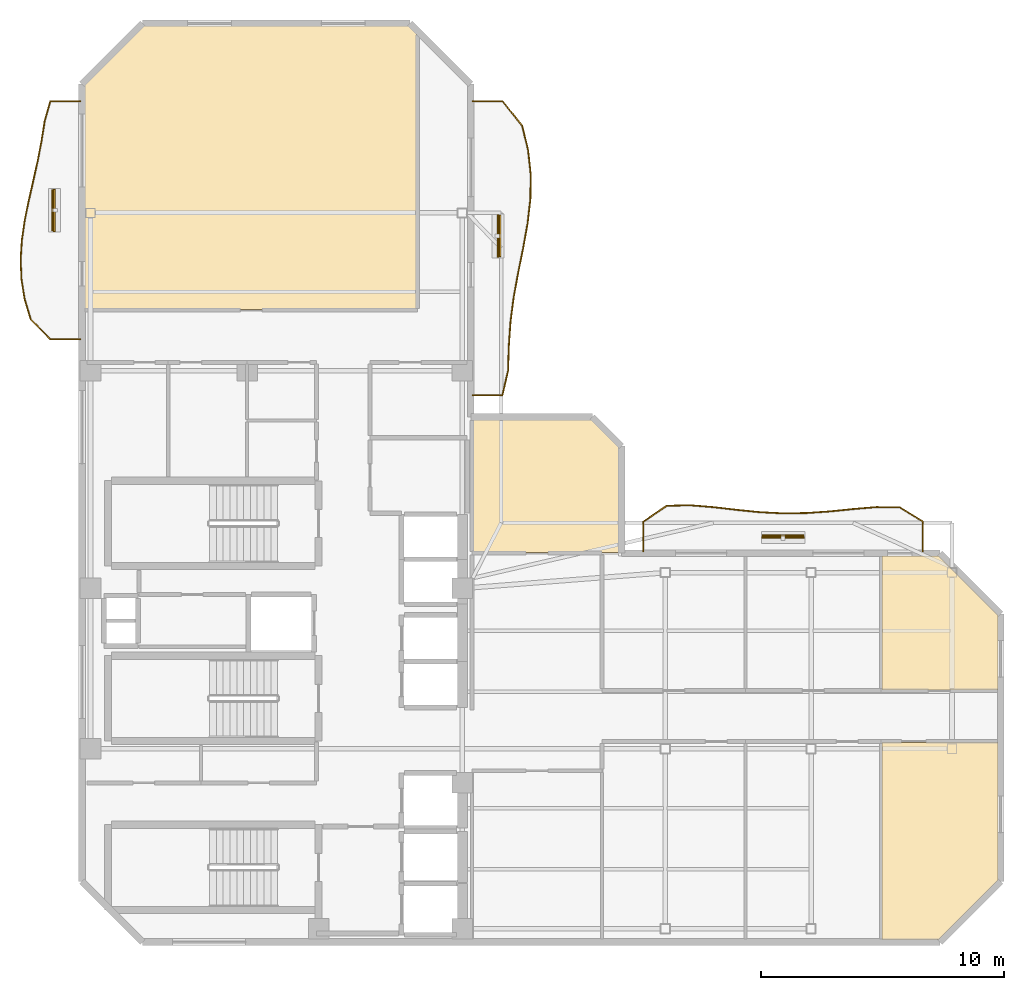
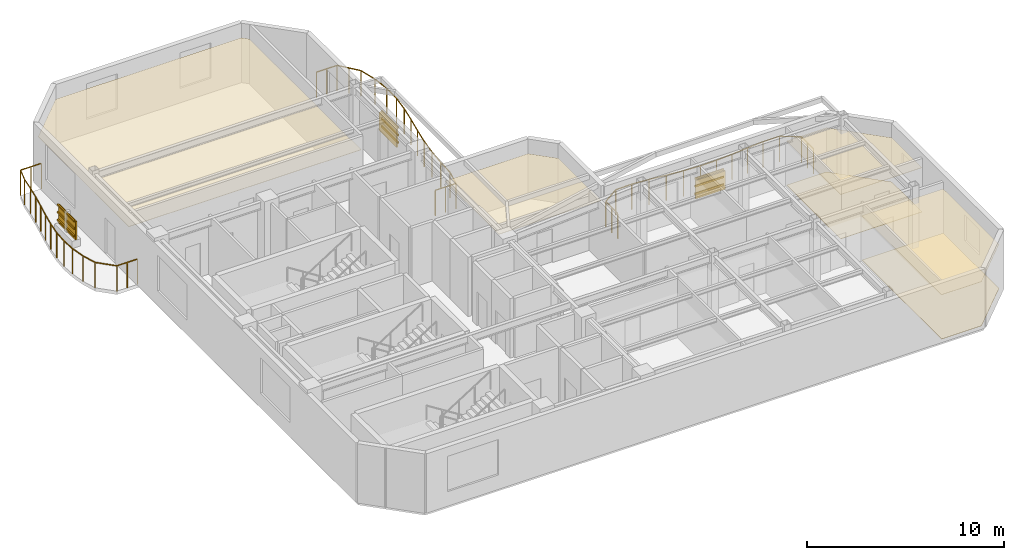
# One storey, part 7 of 7: 12 shading devices, 6 coverings, 3 railings.
"""IFC4 building model written with IfcOpenShell, lengths in metres."""

import ifcopenshell
import ifcopenshell.guid

model = None  # the IFC model being written
_history = None  # IfcOwnerHistory: only IFC2X3 demands one
_inside = {}  # id of a spatial element -> (the spatial element, [elements in it])
_under = {}  # id of a project, library or spatial element -> (it, [spatial elements below it])
_declared = {}  # id of a project -> (the project, [libraries it declares])
_typed = {}  # id of a type object -> (the type object, [elements of that type])
_made_of = {}  # id of a material, layer set ... -> (it, [elements and type objects made of it])


def new_model(schema):
    """Start an empty IFC model of exactly this schema.

    Asked for "IFC4X3", IfcOpenShell would pick the latest addendum, in which some entities
    have other attributes; the version numbers below select the first issue.
    IFC2X3 requires an IfcOwnerHistory on every rooted entity: one is made here for all.
    """
    global model, _history
    if schema == "IFC4X3":
        model = ifcopenshell.file(schema_version=(4, 3, 0, 0))
    else:
        model = ifcopenshell.file(schema=schema)
    _inside.clear()
    _under.clear()
    _declared.clear()
    _typed.clear()
    _made_of.clear()
    _history = None
    if model.schema == "IFC2X3":
        org = make("IfcOrganization", Name="unknown")
        user = make(
            "IfcPersonAndOrganization",
            ThePerson=make("IfcPerson", FamilyName="unknown"),
            TheOrganization=org,
        )
        app = make(
            "IfcApplication",
            ApplicationDeveloper=org,
            Version="unknown",
            ApplicationFullName="unknown",
            ApplicationIdentifier="unknown",
        )
        _history = make(
            "IfcOwnerHistory",
            OwningUser=user,
            OwningApplication=app,
            ChangeAction="ADDED",
            CreationDate=0,
        )
    return model


def make(cls, **values):
    """One entity of the class cls with the attributes given. An attribute that is None is left unset."""
    return model.create_entity(
        cls, **{name: value for name, value in values.items() if value is not None}
    )


def rooted(cls, **values):
    """An entity with a GlobalId (a new one), such as an element, a storey or a relation."""
    return make(cls, GlobalId=ifcopenshell.guid.new(), OwnerHistory=_history, **values)


def si_unit(unit_type, name, prefix=None):
    """IfcSIUnit, for example si_unit("LENGTHUNIT", "METRE", prefix="MILLI")."""
    return make("IfcSIUnit", UnitType=unit_type, Prefix=prefix, Name=name)


def assignment(units):
    """IfcUnitAssignment: the units of a project."""
    return None if units is None else make("IfcUnitAssignment", Units=units)


def point(xyz):
    """IfcCartesianPoint."""
    return None if xyz is None else make("IfcCartesianPoint", Coordinates=xyz)


def direction(xyz):
    """IfcDirection."""
    return None if xyz is None else make("IfcDirection", DirectionRatios=xyz)


def frame(location, z_axis=None, x_axis=None):
    """IfcAxis2Placement3D, a coordinate frame: its origin and axes. An axis left out is left unset."""
    return make(
        "IfcAxis2Placement3D",
        Location=point(location),
        Axis=direction(z_axis),
        RefDirection=direction(x_axis),
    )


def frame_2d(location, x_axis=None):
    """IfcAxis2Placement2D, a coordinate frame in the plane: its origin and x axis."""
    return make(
        "IfcAxis2Placement2D", Location=point(location), RefDirection=direction(x_axis)
    )


def origin():
    """The frame at (0, 0, 0) with its axes left unset."""
    return frame((0.0, 0.0, 0.0))


def origin_2d():
    """The frame at (0, 0) in the plane with its x axis left unset."""
    return frame_2d((0.0, 0.0))


def place(relative_to, where):
    """IfcLocalPlacement: puts the frame where relative to a parent placement (None: the world)."""
    return make(
        "IfcLocalPlacement", PlacementRelTo=relative_to, RelativePlacement=where
    )


def context(
    kind, dimensions, precision=None, world=None, true_north=None, identifier=None
):
    """IfcGeometricRepresentationContext, for example the 3D "Model" context."""
    return make(
        "IfcGeometricRepresentationContext",
        ContextIdentifier=identifier,
        ContextType=kind,
        CoordinateSpaceDimension=dimensions,
        Precision=precision,
        WorldCoordinateSystem=world,
        TrueNorth=true_north,
    )


def subcontext(parent, identifier, kind, view, scale=None):
    """IfcGeometricRepresentationSubContext, for example "Body" below "Model"."""
    return make(
        "IfcGeometricRepresentationSubContext",
        ContextIdentifier=identifier,
        ContextType=kind,
        ParentContext=parent,
        TargetScale=scale,
        TargetView=view,
    )


def project(units=None, contexts=None):
    """IfcProject with its units and contexts."""
    return rooted(
        "IfcProject",
        Name="project",
        RepresentationContexts=contexts,
        UnitsInContext=assignment(units),
    )


def spatial(cls, under=None, at=None, **own):
    """A site, building, storey or space (cls), placed at a placement, below another one or the project."""
    s = rooted(cls, ObjectPlacement=at, **own)
    if under is not None:
        _under.setdefault(under.id(), (under, []))[1].append(s)
    return s


def polyline(points):
    """IfcPolyline through the points."""
    return make("IfcPolyline", Points=[point(p) for p in points])


def profile(cls, at=None, kind="AREA", **sizes):
    """A parametric profile (cls). Its sizes go by their IFC names, for example OverallWidth=200.0."""
    return make(cls, ProfileType=kind, Position=at, **sizes)


def rectangle(**sizes):
    """IfcRectangleProfileDef."""
    return profile("IfcRectangleProfileDef", **sizes)


def outline(outer, holes=None, kind="AREA"):
    """IfcArbitraryClosedProfileDef: a profile drawn as a closed curve; with holes, ...WithVoids."""
    if holes is None:
        return make("IfcArbitraryClosedProfileDef", ProfileType=kind, OuterCurve=outer)
    return make(
        "IfcArbitraryProfileDefWithVoids",
        ProfileType=kind,
        OuterCurve=outer,
        InnerCurves=holes,
    )


def extrude(swept, where, along, depth):
    """IfcExtrudedAreaSolid: the profile swept, set in the frame where, extruded along a direction by depth."""
    return make(
        "IfcExtrudedAreaSolid",
        SweptArea=swept,
        Position=where,
        ExtrudedDirection=direction(along),
        Depth=depth,
    )


def shape(context_of_items, identifier, shape_type, items):
    """IfcShapeRepresentation: the items that make up one representation, for example the "Body"."""
    return make(
        "IfcShapeRepresentation",
        ContextOfItems=context_of_items,
        RepresentationIdentifier=identifier,
        RepresentationType=shape_type,
        Items=items,
    )


def material(Name=None, Category=None):
    """IfcMaterial."""
    return make("IfcMaterial", Name=Name, Category=Category)


def layer(
    of_material, thickness, ventilated=None, Name=None, Category=None, Priority=None
):
    """IfcMaterialLayer: one layer of a wall or slab, of a material (None: an air gap)."""
    return make(
        "IfcMaterialLayer",
        Material=of_material,
        LayerThickness=thickness,
        IsVentilated=ventilated,
        Name=Name,
        Category=Category,
        Priority=Priority,
    )


def layer_set(layers, Name=None):
    """IfcMaterialLayerSet."""
    return make("IfcMaterialLayerSet", MaterialLayers=layers, LayerSetName=Name)


def material_profile(
    of_material, cross_section, Name=None, Category=None, Priority=None
):
    """IfcMaterialProfile: a cross section and its material."""
    return make(
        "IfcMaterialProfile",
        Name=Name,
        Material=of_material,
        Profile=cross_section,
        Priority=Priority,
        Category=Category,
    )


def profile_set(profiles, Name=None, composite=None):
    """IfcMaterialProfileSet."""
    return make(
        "IfcMaterialProfileSet",
        Name=Name,
        MaterialProfiles=profiles,
        CompositeProfile=composite,
    )


def made_of(thing, what):
    """Note that an element or type object is made of a material, layer set ...; save() writes the relation."""
    if what is not None:
        _made_of.setdefault(what.id(), (what, []))[1].append(thing)
    return thing


def type_object(cls, material=None, **own):
    """A type object (cls), such as IfcWallType, which elements share."""
    return made_of(rooted(cls, **own), material)


def element(
    cls,
    number,
    at=None,
    inside=None,
    cuts=None,
    type_object=None,
    material=None,
    context=None,
    identifier="Body",
    shape_type=None,
    held_by="IfcProductDefinitionShape",
    body=None,
    shapes=None,
    **own,
):
    """One element of the class cls, such as IfcWall. Its Tag is "e" and its number.

    at: its placement. inside: the storey or other place that contains it. cuts: it is an
    opening in that element (IfcRelVoidsElement). A single representation is given by context,
    identifier, shape_type and body (its items); several are given by shapes. held_by: the class
    of the entity that holds the representations. save() writes the other relations.
    """
    e = rooted(cls, Tag="e%d" % number, ObjectPlacement=at, **own)
    if body is not None:
        shapes = [shape(context, identifier, shape_type, body)]
    if shapes is not None:
        e.Representation = make(held_by, Representations=shapes)
    if inside is not None:
        _inside.setdefault(inside.id(), (inside, []))[1].append(e)
    if cuts is not None:
        rooted(
            "IfcRelVoidsElement", RelatingBuildingElement=cuts, RelatedOpeningElement=e
        )
    if type_object is not None:
        _typed.setdefault(type_object.id(), (type_object, []))[1].append(e)
    return made_of(e, material)


def aggregate(whole, parts):
    """IfcRelAggregates: a whole, such as a stair, and the parts it consists of."""
    return rooted("IfcRelAggregates", RelatingObject=whole, RelatedObjects=parts)


def save(model, path):
    """Write the relations noted so far, then the file.

    IfcRelAggregates (storeys below a building ...), IfcRelContainedInSpatialStructure (elements
    in a storey), IfcRelDefinesByType, IfcRelAssociatesMaterial and IfcRelDeclares: one each for
    every whole, place, type object, material and project.
    """
    for whole, parts in _under.values():
        aggregate(whole, parts)
    for where, things in _inside.values():
        rooted(
            "IfcRelContainedInSpatialStructure",
            RelatedElements=things,
            RelatingStructure=where,
        )
    for kind, things in _typed.values():
        rooted("IfcRelDefinesByType", RelatedObjects=things, RelatingType=kind)
    for what, things in _made_of.values():
        rooted("IfcRelAssociatesMaterial", RelatedObjects=things, RelatingMaterial=what)
    for by, libraries in _declared.values():
        rooted("IfcRelDeclares", RelatingContext=by, RelatedDefinitions=libraries)
    model.write(path)


model = new_model("IFC4")

# Units and contexts
model_context = context("Model", 3, precision=1e-05, world=origin(), true_north=direction((0.0, 1.0)))
body_context = subcontext(model_context, "Body", "Model", "MODEL_VIEW")
ifc_project = project(units=[si_unit("LENGTHUNIT", "METRE"), si_unit("AREAUNIT", "SQUARE_METRE"), si_unit("VOLUMEUNIT", "CUBIC_METRE"), si_unit("PLANEANGLEUNIT", "RADIAN"), si_unit("MASSUNIT", "GRAM", prefix="KILO")], contexts=[model_context])

# Site, building, storey
site_placement = place(None, origin())
site = spatial("IfcSite", under=ifc_project, at=site_placement, CompositionType="ELEMENT")
building_placement = place(site_placement, origin())
building = spatial("IfcBuilding", under=site, at=building_placement, Name="Mawjaban Terraces University", CompositionType="ELEMENT")
storey_placement = place(building_placement, frame((0.0, 0.0, 291.10009765625)))
storey = spatial("IfcBuildingStorey", under=building, at=storey_placement, Name="L71", CompositionType="ELEMENT", Elevation=291.10009765625)

# Coverings
ifc_material_1 = material(Name="Acoustic mineral fibre ceiling tile", Category="masonry")
ifc_layer_1 = layer(ifc_material_1, 0.02001953125)
ifc_layer_set_1 = layer_set([ifc_layer_1], Name="Acoustic mineral fibre ceiling tile")
covering_type_1 = type_object("IfcCoveringType", Name="AcousticMineralCeiling_20", PredefinedType="CEILING", material=ifc_layer_set_1)
covering_1_placement = place(storey_placement, frame((0.0, 0.0, 2.75)))
element("IfcCovering", 1, at=covering_1_placement, inside=storey, type_object=covering_type_1, Name="L71 Classroom 6 Acoustic Ceiling", PredefinedType="CEILING", context=body_context, shape_type="SweptSolid", body=[
    extrude(outline(polyline([(54.909912109375, 0.114990234375), (57.2529296875, 0.114990234375), (59.68505859375, 2.547119140625), (59.68505859375, 8.219970703125), (54.909912109375, 8.219970703125), (54.909912109375, 0.114990234375)])), origin(), (0.0, 0.0, 1.0), 0.02001953125),
])
covering_2_placement = place(storey_placement, frame((0.0, 0.0, 2.75)))
element("IfcCovering", 2, at=covering_2_placement, inside=storey, type_object=covering_type_1, Name="L71 Seminar Room 7 Acoustic Ceiling", PredefinedType="CEILING", context=body_context, shape_type="SweptSolid", body=[
    extrude(outline(polyline([(59.68505859375, 10.3798828125), (59.68505859375, 13.452880859375), (57.2529296875, 15.885009765625), (54.909912109375, 15.885009765625), (54.909912109375, 10.3798828125), (59.68505859375, 10.3798828125)])), origin(), (0.0, 0.0, 1.0), 0.02001953125),
])
covering_3_placement = place(storey_placement, frame((0.0, 0.0, 2.75)))
element("IfcCovering", 3, at=covering_3_placement, inside=storey, type_object=covering_type_1, Name="L71 Collaborative Study Room 8 Acoustic Ceiling", PredefinedType="CEILING", context=body_context, shape_type="SweptSolid", body=[
    extrude(outline(polyline([(35.77001953125, 37.367919921875), (35.452880859375, 37.68505859375), (24.547119140625, 37.68505859375), (22.114990234375, 35.2529296875), (22.114990234375, 26.030029296875), (35.77001953125, 26.030029296875), (35.77001953125, 37.367919921875)])), origin(), (0.0, 0.0, 1.0), 0.02001953125),
])
covering_4_placement = place(storey_placement, frame((0.0, 0.0, 2.75)))
element("IfcCovering", 4, at=covering_4_placement, inside=storey, type_object=covering_type_1, Name="L71 Terrace Collaborative Study Room Acoustic Ceiling", PredefinedType="CEILING", context=body_context, shape_type="SweptSolid", body=[
    extrude(outline(polyline([(44.0849609375, 16.030029296875), (44.0849609375, 20.35302734375), (42.952880859375, 21.485107421875), (38.080078125, 21.485107421875), (38.080078125, 16.030029296875), (44.0849609375, 16.030029296875)])), origin(), (0.0, 0.0, 1.0), 0.02001953125),
])

# Railings
ifc_material_2 = material(Name="Galvanised powder-coated steel S355", Category="steel")
railing_type = type_object("IfcRailingType", Name="BalconyBalustrade_1600", PredefinedType="BALUSTRADE", material=ifc_material_2)
railing_1_placement = place(storey_placement, frame((21.919921875, 24.800048828125, 0.0)))
element("IfcRailing", 5, at=railing_1_placement, inside=storey, type_object=railing_type, Name="L71 Balcony Guardrail west", PredefinedType="BALUSTRADE", context=body_context, shape_type="SweptSolid", body=[
    extrude(rectangle(XDim=0.048095703125, YDim=0.048095703125, at=origin_2d()), frame((0.0, 0.0, 1.576171875), z_axis=(-1.0, 0.0, 0.0), x_axis=(0.0, -1.0, 0.0)), (0.0, 0.0, 1.0), 1.219970703125),
    extrude(rectangle(XDim=0.048095703125, YDim=0.048095703125, at=origin_2d()), frame((-1.219970703125, 0.0, 1.576171875), z_axis=(-0.703164591204, 0.711027114587, 0.0), x_axis=(-0.711027114587, -0.703164591204, 0.0)), (0.0, 0.0, 1.0), 1.14892578125),
    extrude(rectangle(XDim=0.048095703125, YDim=0.048095703125, at=origin_2d()), frame((-2.02783203125, 0.81689453125, 1.576171875), z_axis=(-0.28973721519, 0.957106235553, 0.0), x_axis=(-0.957106235553, -0.28973721519, 0.0)), (0.0, 0.0, 1.0), 0.852783203125),
    extrude(rectangle(XDim=0.048095703125, YDim=0.048095703125, at=origin_2d()), frame((-2.27490234375, 1.633056640625, 1.576171875), z_axis=(-0.161911564393, 0.986805272238, 0.0), x_axis=(-0.986805272238, -0.161911564393, 0.0)), (0.0, 0.0, 1.0), 0.827880859375),
    extrude(rectangle(XDim=0.048095703125, YDim=0.048095703125, at=origin_2d()), frame((-2.408935546875, 2.449951171875, 1.576171875), z_axis=(-0.043890717784, 0.999036338124, 0.0), x_axis=(-0.999036338124, -0.043890717784, 0.0)), (0.0, 0.0, 1.0), 0.817626953125),
    extrude(rectangle(XDim=0.048095703125, YDim=0.048095703125, at=origin_2d()), frame((-2.44482421875, 3.266845703125, 1.576171875), z_axis=(0.060909730436, 0.998143278662, 0.0), x_axis=(-0.998143278662, 0.060909730436, 0.0)), (0.0, 0.0, 1.0), 0.817626953125),
    extrude(rectangle(XDim=0.048095703125, YDim=0.048095703125, at=origin_2d()), frame((-2.39501953125, 4.0830078125, 1.576171875), z_axis=(0.144318958771, 0.989531221407, 0.0), x_axis=(-0.989531221407, 0.144318958771, 0.0)), (0.0, 0.0, 1.0), 0.825439453125),
    extrude(rectangle(XDim=0.048095703125, YDim=0.048095703125, at=origin_2d()), frame((-2.27587890625, 4.89990234375, 1.576171875), z_axis=(0.200223819976, 0.979750183421, 0.0), x_axis=(-0.979750183421, 0.200223819976, 0.0)), (0.0, 0.0, 1.0), 0.833984375),
    extrude(rectangle(XDim=0.048095703125, YDim=0.048095703125, at=origin_2d()), frame((-2.10888671875, 5.717041015625, 1.576171875), z_axis=(0.223410794453, 0.974724379977, 0.0), x_axis=(-0.974724379977, 0.223410794453, 0.0)), (0.0, 0.0, 1.0), 0.837158203125),
    extrude(rectangle(XDim=0.048095703125, YDim=0.048095703125, at=origin_2d()), frame((-1.921875, 6.532958984375, 1.576171875), z_axis=(0.216219794683, 0.976344713914, 0.0), x_axis=(-0.976344713914, 0.216219794683, 0.0)), (0.0, 0.0, 1.0), 0.836669921875),
    extrude(rectangle(XDim=0.048095703125, YDim=0.048095703125, at=origin_2d()), frame((-1.740966796875, 7.349853515625, 1.576171875), z_axis=(0.189793875394, 0.981823958183, 0.0), x_axis=(-0.981823958183, 0.189793875394, 0.0)), (0.0, 0.0, 1.0), 0.832275390625),
    extrude(rectangle(XDim=0.048095703125, YDim=0.048095703125, at=origin_2d()), frame((-1.5830078125, 8.1669921875, 1.576171875), z_axis=(0.155188381216, 0.987884895287, 0.0), x_axis=(-0.987884895287, 0.155188381216, 0.0)), (0.0, 0.0, 1.0), 0.825927734375),
    extrude(rectangle(XDim=0.048095703125, YDim=0.048095703125, at=origin_2d()), frame((-1.454833984375, 8.98291015625, 1.576171875), z_axis=(0.276237802113, 0.961089317745, 0.0), x_axis=(-0.961089317745, 0.276237802113, 0.0)), (0.0, 0.0, 1.0), 0.850341796875),
    extrude(rectangle(XDim=0.048095703125, YDim=0.048095703125, at=origin_2d()), frame((-1.219970703125, 9.800048828125, 1.576171875), z_axis=(1.0, 0.0, 0.0), x_axis=(0.0, 1.0, 0.0)), (0.0, 0.0, 1.0), 1.219970703125),
    extrude(rectangle(XDim=0.0419921875, YDim=0.0419921875, at=origin_2d()), origin(), (0.0, 0.0, 1.0), 1.552001953125),
    extrude(rectangle(XDim=0.0419921875, YDim=0.0419921875, at=origin_2d()), frame((-0.60986328125, 0.0, 0.0)), (0.0, 0.0, 1.0), 1.552001953125),
    extrude(rectangle(XDim=0.0419921875, YDim=0.0419921875, at=origin_2d()), frame((-1.219970703125, 0.0, 0.0)), (0.0, 0.0, 1.0), 1.552001953125),
    extrude(rectangle(XDim=0.0419921875, YDim=0.0419921875, at=origin_2d()), frame((-2.02783203125, 0.81689453125, 0.0)), (0.0, 0.0, 1.0), 1.552001953125),
    extrude(rectangle(XDim=0.0419921875, YDim=0.0419921875, at=origin_2d()), frame((-2.27490234375, 1.633056640625, 0.0)), (0.0, 0.0, 1.0), 1.552001953125),
    extrude(rectangle(XDim=0.0419921875, YDim=0.0419921875, at=origin_2d()), frame((-2.408935546875, 2.449951171875, 0.0)), (0.0, 0.0, 1.0), 1.552001953125),
    extrude(rectangle(XDim=0.0419921875, YDim=0.0419921875, at=origin_2d()), frame((-2.44482421875, 3.266845703125, 0.0)), (0.0, 0.0, 1.0), 1.552001953125),
    extrude(rectangle(XDim=0.0419921875, YDim=0.0419921875, at=origin_2d()), frame((-2.39501953125, 4.0830078125, 0.0)), (0.0, 0.0, 1.0), 1.552001953125),
    extrude(rectangle(XDim=0.0419921875, YDim=0.0419921875, at=origin_2d()), frame((-2.27587890625, 4.89990234375, 0.0)), (0.0, 0.0, 1.0), 1.552001953125),
    extrude(rectangle(XDim=0.0419921875, YDim=0.0419921875, at=origin_2d()), frame((-2.10888671875, 5.717041015625, 0.0)), (0.0, 0.0, 1.0), 1.552001953125),
    extrude(rectangle(XDim=0.0419921875, YDim=0.0419921875, at=origin_2d()), frame((-1.921875, 6.532958984375, 0.0)), (0.0, 0.0, 1.0), 1.552001953125),
    extrude(rectangle(XDim=0.0419921875, YDim=0.0419921875, at=origin_2d()), frame((-1.740966796875, 7.349853515625, 0.0)), (0.0, 0.0, 1.0), 1.552001953125),
    extrude(rectangle(XDim=0.0419921875, YDim=0.0419921875, at=origin_2d()), frame((-1.5830078125, 8.1669921875, 0.0)), (0.0, 0.0, 1.0), 1.552001953125),
    extrude(rectangle(XDim=0.0419921875, YDim=0.0419921875, at=origin_2d()), frame((-1.454833984375, 8.98291015625, 0.0)), (0.0, 0.0, 1.0), 1.552001953125),
    extrude(rectangle(XDim=0.0419921875, YDim=0.0419921875, at=origin_2d()), frame((-1.219970703125, 9.800048828125, 0.0)), (0.0, 0.0, 1.0), 1.552001953125),
    extrude(rectangle(XDim=0.0419921875, YDim=0.0419921875, at=origin_2d()), frame((-0.60986328125, 9.800048828125, 0.0)), (0.0, 0.0, 1.0), 1.552001953125),
    extrude(rectangle(XDim=0.0419921875, YDim=0.0419921875, at=origin_2d()), frame((0.0, 9.800048828125, 0.0)), (0.0, 0.0, 1.0), 1.552001953125),
])
railing_2_placement = place(storey_placement, frame((45.10009765625, 16.080078125, 0.0)))
element("IfcRailing", 6, at=railing_2_placement, inside=storey, type_object=railing_type, Name="L71 Balcony Guardrail inner_north", PredefinedType="BALUSTRADE", context=body_context, shape_type="SweptSolid", body=[
    extrude(rectangle(XDim=0.048095703125, YDim=0.048095703125, at=origin_2d()), frame((0.0, 0.0, 1.576171875), z_axis=(0.0, 1.0, 0.0), x_axis=(-1.0, 0.0, 0.0)), (0.0, 0.0, 1.0), 1.219970703125),
    extrude(rectangle(XDim=0.048095703125, YDim=0.048095703125, at=origin_2d()), frame((0.0, 1.219970703125, 1.576171875), z_axis=(0.827153833167, 0.561975565551, 0.0), x_axis=(-0.561975565551, 0.827153833167, 0.0)), (0.0, 0.0, 1.0), 1.158203125),
    extrude(rectangle(XDim=0.048095703125, YDim=0.048095703125, at=origin_2d()), frame((0.9580078125, 1.870849609375, 1.576171875), z_axis=(0.999682538847, 0.025195664803, 0.0), x_axis=(-0.025195664803, 0.999682538847, 0.0)), (0.0, 0.0, 1.0), 0.959228515625),
    extrude(rectangle(XDim=0.048095703125, YDim=0.048095703125, at=origin_2d()), frame((1.9169921875, 1.89501953125, 1.576171875), z_axis=(0.996608527506, -0.0822887775, 0.0), x_axis=(0.0822887775, 0.996608527506, 0.0)), (0.0, 0.0, 1.0), 0.961181640625),
    extrude(rectangle(XDim=0.048095703125, YDim=0.048095703125, at=origin_2d()), frame((2.875, 1.81591796875, 1.576171875), z_axis=(0.993344476803, -0.115181380465, 0.0), x_axis=(0.115181380465, 0.993344476803, 0.0)), (0.0, 0.0, 1.0), 0.96435546875),
    extrude(rectangle(XDim=0.048095703125, YDim=0.048095703125, at=origin_2d()), frame((3.8330078125, 1.704833984375, 1.576171875), z_axis=(0.995032172752, -0.099553880828, 0.0), x_axis=(0.099553880828, 0.995032172752, 0.0)), (0.0, 0.0, 1.0), 0.9638671875),
    extrude(rectangle(XDim=0.048095703125, YDim=0.048095703125, at=origin_2d()), frame((4.7919921875, 1.60888671875, 1.576171875), z_axis=(0.998690665791, -0.051156173248, 0.0), x_axis=(0.051156173248, 0.998690665791, 0.0)), (0.0, 0.0, 1.0), 0.959228515625),
    extrude(rectangle(XDim=0.048095703125, YDim=0.048095703125, at=origin_2d()), frame((5.75, 1.559814453125, 1.576171875), z_axis=(0.999905324448, 0.013760165015, 0.0), x_axis=(-0.013760165015, 0.999905324448, 0.0)), (0.0, 0.0, 1.0), 0.9580078125),
    extrude(rectangle(XDim=0.048095703125, YDim=0.048095703125, at=origin_2d()), frame((6.7080078125, 1.572998046875, 1.576171875), z_axis=(0.997575920892, 0.06958650772, 0.0), x_axis=(-0.06958650772, 0.997575920892, 0.0)), (0.0, 0.0, 1.0), 0.96142578125),
    extrude(rectangle(XDim=0.048095703125, YDim=0.048095703125, at=origin_2d()), frame((7.6669921875, 1.639892578125, 1.576171875), z_axis=(0.994921042981, 0.100658423564, 0.0), x_axis=(-0.100658423564, 0.994921042981, 0.0)), (0.0, 0.0, 1.0), 0.962890625),
    extrude(rectangle(XDim=0.048095703125, YDim=0.048095703125, at=origin_2d()), frame((8.625, 1.73681640625, 1.576171875), z_axis=(0.996524709254, 0.083297682119, 0.0), x_axis=(-0.083297682119, 0.996524709254, 0.0)), (0.0, 0.0, 1.0), 0.96142578125),
    extrude(rectangle(XDim=0.048095703125, YDim=0.048095703125, at=origin_2d()), frame((9.5830078125, 1.81689453125, 1.576171875), z_axis=(0.999987037804, -0.005091583696, 0.0), x_axis=(0.005091583696, 0.999987037804, 0.0)), (0.0, 0.0, 1.0), 0.958984375),
    extrude(rectangle(XDim=0.048095703125, YDim=0.048095703125, at=origin_2d()), frame((10.5419921875, 1.81201171875, 1.576171875), z_axis=(0.850666840673, -0.525705170395, 0.0), x_axis=(0.525705170395, 0.850666840673, 0.0)), (0.0, 0.0, 1.0), 1.126220703125),
    extrude(rectangle(XDim=0.048095703125, YDim=0.048095703125, at=origin_2d()), frame((11.5, 1.219970703125, 1.576171875), z_axis=(0.0, -1.0, 0.0), x_axis=(1.0, 0.0, 0.0)), (0.0, 0.0, 1.0), 1.219970703125),
    extrude(rectangle(XDim=0.0419921875, YDim=0.0419921875, at=origin_2d()), origin(), (0.0, 0.0, 1.0), 1.552001953125),
    extrude(rectangle(XDim=0.0419921875, YDim=0.0419921875, at=origin_2d()), frame((0.0, 0.60986328125, 0.0)), (0.0, 0.0, 1.0), 1.552001953125),
    extrude(rectangle(XDim=0.0419921875, YDim=0.0419921875, at=origin_2d()), frame((0.0, 1.219970703125, 0.0)), (0.0, 0.0, 1.0), 1.552001953125),
    extrude(rectangle(XDim=0.0419921875, YDim=0.0419921875, at=origin_2d()), frame((0.9580078125, 1.870849609375, 0.0)), (0.0, 0.0, 1.0), 1.552001953125),
    extrude(rectangle(XDim=0.0419921875, YDim=0.0419921875, at=origin_2d()), frame((1.9169921875, 1.89501953125, 0.0)), (0.0, 0.0, 1.0), 1.552001953125),
    extrude(rectangle(XDim=0.0419921875, YDim=0.0419921875, at=origin_2d()), frame((2.875, 1.81591796875, 0.0)), (0.0, 0.0, 1.0), 1.552001953125),
    extrude(rectangle(XDim=0.0419921875, YDim=0.0419921875, at=origin_2d()), frame((3.8330078125, 1.704833984375, 0.0)), (0.0, 0.0, 1.0), 1.552001953125),
    extrude(rectangle(XDim=0.0419921875, YDim=0.0419921875, at=origin_2d()), frame((4.7919921875, 1.60888671875, 0.0)), (0.0, 0.0, 1.0), 1.552001953125),
    extrude(rectangle(XDim=0.0419921875, YDim=0.0419921875, at=origin_2d()), frame((5.75, 1.559814453125, 0.0)), (0.0, 0.0, 1.0), 1.552001953125),
    extrude(rectangle(XDim=0.0419921875, YDim=0.0419921875, at=origin_2d()), frame((6.7080078125, 1.572998046875, 0.0)), (0.0, 0.0, 1.0), 1.552001953125),
    extrude(rectangle(XDim=0.0419921875, YDim=0.0419921875, at=origin_2d()), frame((7.6669921875, 1.639892578125, 0.0)), (0.0, 0.0, 1.0), 1.552001953125),
    extrude(rectangle(XDim=0.0419921875, YDim=0.0419921875, at=origin_2d()), frame((8.625, 1.73681640625, 0.0)), (0.0, 0.0, 1.0), 1.552001953125),
    extrude(rectangle(XDim=0.0419921875, YDim=0.0419921875, at=origin_2d()), frame((9.5830078125, 1.81689453125, 0.0)), (0.0, 0.0, 1.0), 1.552001953125),
    extrude(rectangle(XDim=0.0419921875, YDim=0.0419921875, at=origin_2d()), frame((10.5419921875, 1.81201171875, 0.0)), (0.0, 0.0, 1.0), 1.552001953125),
    extrude(rectangle(XDim=0.0419921875, YDim=0.0419921875, at=origin_2d()), frame((11.5, 1.219970703125, 0.0)), (0.0, 0.0, 1.0), 1.552001953125),
    extrude(rectangle(XDim=0.0419921875, YDim=0.0419921875, at=origin_2d()), frame((11.5, 0.60986328125, 0.0)), (0.0, 0.0, 1.0), 1.552001953125),
    extrude(rectangle(XDim=0.0419921875, YDim=0.0419921875, at=origin_2d()), frame((11.5, 0.0, 0.0)), (0.0, 0.0, 1.0), 1.552001953125),
])
railing_3_placement = place(storey_placement, frame((38.080078125, 22.5, 0.0)))
element("IfcRailing", 7, at=railing_3_placement, inside=storey, type_object=railing_type, Name="L71 Balcony Guardrail inner_east", PredefinedType="BALUSTRADE", context=body_context, shape_type="SweptSolid", body=[
    extrude(rectangle(XDim=0.048095703125, YDim=0.048095703125, at=origin_2d()), frame((0.0, 0.0, 1.576171875), z_axis=(1.0, 0.0, 0.0), x_axis=(0.0, 1.0, 0.0)), (0.0, 0.0, 1.0), 1.219970703125),
    extrude(rectangle(XDim=0.048095703125, YDim=0.048095703125, at=origin_2d()), frame((1.219970703125, 0.0, 1.576171875), z_axis=(0.226013778766, 0.974124104931, 0.0), x_axis=(-0.974124104931, 0.226013778766, 0.0)), (0.0, 0.0, 1.0), 1.034912109375),
    extrude(rectangle(XDim=0.048095703125, YDim=0.048095703125, at=origin_2d()), frame((1.453857421875, 1.008056640625, 1.576171875), z_axis=(0.030713787559, 0.999528220339, 0.0), x_axis=(-0.999528220339, 0.030713787559, 0.0)), (0.0, 0.0, 1.0), 1.009521484375),
    extrude(rectangle(XDim=0.048095703125, YDim=0.048095703125, at=origin_2d()), frame((1.48486328125, 2.01708984375, 1.576171875), z_axis=(0.069357766738, 0.997591850505, 0.0), x_axis=(-0.997591850505, 0.069357766738, 0.0)), (0.0, 0.0, 1.0), 1.01025390625),
    extrude(rectangle(XDim=0.048095703125, YDim=0.048095703125, at=origin_2d()), frame((1.554931640625, 3.02490234375, 1.576171875), z_axis=(0.128969550402, 0.991648554211, 0.0), x_axis=(-0.991648554211, 0.128969550402, 0.0)), (0.0, 0.0, 1.0), 1.0166015625),
    extrude(rectangle(XDim=0.048095703125, YDim=0.048095703125, at=origin_2d()), frame((1.68603515625, 4.032958984375, 1.576171875), z_axis=(0.179241529176, 0.983805099712, 0.0), x_axis=(-0.983805099712, 0.179241529176, 0.0)), (0.0, 0.0, 1.0), 1.025634765625),
    extrude(rectangle(XDim=0.048095703125, YDim=0.048095703125, at=origin_2d()), frame((1.869873046875, 5.0419921875, 1.576171875), z_axis=(0.198443661805, 0.980112296163, 0.0), x_axis=(-0.980112296163, 0.198443661805, 0.0)), (0.0, 0.0, 1.0), 1.028564453125),
    extrude(rectangle(XDim=0.048095703125, YDim=0.048095703125, at=origin_2d()), frame((2.073974609375, 6.050048828125, 1.576171875), z_axis=(0.177563915332, 0.984109270342, 0.0), x_axis=(-0.984109270342, 0.177563915332, 0.0)), (0.0, 0.0, 1.0), 1.0244140625),
    extrude(rectangle(XDim=0.048095703125, YDim=0.048095703125, at=origin_2d()), frame((2.255859375, 7.05810546875, 1.576171875), z_axis=(0.114204310259, 0.993457284194, 0.0), x_axis=(-0.993457284194, 0.114204310259, 0.0)), (0.0, 0.0, 1.0), 1.015380859375),
    extrude(rectangle(XDim=0.048095703125, YDim=0.048095703125, at=origin_2d()), frame((2.371826171875, 8.06689453125, 1.576171875), z_axis=(0.015014049778, 0.999887282802, 0.0), x_axis=(-0.999887282802, 0.015014049778, 0.0)), (0.0, 0.0, 1.0), 1.008056640625),
    extrude(rectangle(XDim=0.048095703125, YDim=0.048095703125, at=origin_2d()), frame((2.386962890625, 9.074951171875, 1.576171875), z_axis=(-0.106677667668, 0.994293656432, 0.0), x_axis=(-0.994293656432, -0.106677667668, 0.0)), (0.0, 0.0, 1.0), 1.013916015625),
    extrude(rectangle(XDim=0.048095703125, YDim=0.048095703125, at=origin_2d()), frame((2.27880859375, 10.0830078125, 1.576171875), z_axis=(-0.236723471326, 0.971577067516, 0.0), x_axis=(-0.971577067516, -0.236723471326, 0.0)), (0.0, 0.0, 1.0), 1.03857421875),
    extrude(rectangle(XDim=0.048095703125, YDim=0.048095703125, at=origin_2d()), frame((2.032958984375, 11.092041015625, 1.576171875), z_axis=(-0.627770875078, 0.778398181141, 0.0), x_axis=(-0.778398181141, -0.627770875078, 0.0)), (0.0, 0.0, 1.0), 1.294921875),
    extrude(rectangle(XDim=0.048095703125, YDim=0.048095703125, at=origin_2d()), frame((1.219970703125, 12.10009765625, 1.576171875), z_axis=(-1.0, 0.0, 0.0), x_axis=(0.0, -1.0, 0.0)), (0.0, 0.0, 1.0), 1.219970703125),
    extrude(rectangle(XDim=0.0419921875, YDim=0.0419921875, at=origin_2d()), origin(), (0.0, 0.0, 1.0), 1.552001953125),
    extrude(rectangle(XDim=0.0419921875, YDim=0.0419921875, at=origin_2d()), frame((0.60986328125, 0.0, 0.0)), (0.0, 0.0, 1.0), 1.552001953125),
    extrude(rectangle(XDim=0.0419921875, YDim=0.0419921875, at=origin_2d()), frame((1.219970703125, 0.0, 0.0)), (0.0, 0.0, 1.0), 1.552001953125),
    extrude(rectangle(XDim=0.0419921875, YDim=0.0419921875, at=origin_2d()), frame((1.453857421875, 1.008056640625, 0.0)), (0.0, 0.0, 1.0), 1.552001953125),
    extrude(rectangle(XDim=0.0419921875, YDim=0.0419921875, at=origin_2d()), frame((1.48486328125, 2.01708984375, 0.0)), (0.0, 0.0, 1.0), 1.552001953125),
    extrude(rectangle(XDim=0.0419921875, YDim=0.0419921875, at=origin_2d()), frame((1.554931640625, 3.02490234375, 0.0)), (0.0, 0.0, 1.0), 1.552001953125),
    extrude(rectangle(XDim=0.0419921875, YDim=0.0419921875, at=origin_2d()), frame((1.68603515625, 4.032958984375, 0.0)), (0.0, 0.0, 1.0), 1.552001953125),
    extrude(rectangle(XDim=0.0419921875, YDim=0.0419921875, at=origin_2d()), frame((1.869873046875, 5.0419921875, 0.0)), (0.0, 0.0, 1.0), 1.552001953125),
    extrude(rectangle(XDim=0.0419921875, YDim=0.0419921875, at=origin_2d()), frame((2.073974609375, 6.050048828125, 0.0)), (0.0, 0.0, 1.0), 1.552001953125),
    extrude(rectangle(XDim=0.0419921875, YDim=0.0419921875, at=origin_2d()), frame((2.255859375, 7.05810546875, 0.0)), (0.0, 0.0, 1.0), 1.552001953125),
    extrude(rectangle(XDim=0.0419921875, YDim=0.0419921875, at=origin_2d()), frame((2.371826171875, 8.06689453125, 0.0)), (0.0, 0.0, 1.0), 1.552001953125),
    extrude(rectangle(XDim=0.0419921875, YDim=0.0419921875, at=origin_2d()), frame((2.386962890625, 9.074951171875, 0.0)), (0.0, 0.0, 1.0), 1.552001953125),
    extrude(rectangle(XDim=0.0419921875, YDim=0.0419921875, at=origin_2d()), frame((2.27880859375, 10.0830078125, 0.0)), (0.0, 0.0, 1.0), 1.552001953125),
    extrude(rectangle(XDim=0.0419921875, YDim=0.0419921875, at=origin_2d()), frame((2.032958984375, 11.092041015625, 0.0)), (0.0, 0.0, 1.0), 1.552001953125),
    extrude(rectangle(XDim=0.0419921875, YDim=0.0419921875, at=origin_2d()), frame((1.62646484375, 11.59619140625, 0.0)), (0.0, 0.0, 1.0), 1.552001953125),
    extrude(rectangle(XDim=0.0419921875, YDim=0.0419921875, at=origin_2d()), frame((1.219970703125, 12.10009765625, 0.0)), (0.0, 0.0, 1.0), 1.552001953125),
    extrude(rectangle(XDim=0.0419921875, YDim=0.0419921875, at=origin_2d()), frame((0.60986328125, 12.10009765625, 0.0)), (0.0, 0.0, 1.0), 1.552001953125),
    extrude(rectangle(XDim=0.0419921875, YDim=0.0419921875, at=origin_2d()), frame((0.0, 12.10009765625, 0.0)), (0.0, 0.0, 1.0), 1.552001953125),
])

# Shading devices
ifc_material_3 = material(Name="Glazed architectural terracotta ceramic", Category="masonry")
ifc_material_profile = material_profile(ifc_material_3, rectangle(XDim=0.06494140625, YDim=0.110107421875, at=origin_2d()), Name="TBAG110X65")
ifc_profile_set = profile_set([ifc_material_profile], Name="Glazed architectural terracotta ceramic")
shading_device_type_1 = type_object("IfcShadingDeviceType", Name="TerracottaBaguette_110x65", PredefinedType="USERDEFINED", material=ifc_profile_set)
for number, where, z_axis, x_axis, name in (
    (8, (20.783935546875, 29.258056640625, 0.679931640625), (0.0, 1.0, 0.0), (-1.0, 0.0, 0.0), "L71 Horizontal Terracotta Baguette west.1"),
    (9, (20.783935546875, 29.258056640625, 1.14990234375), (0.0, 1.0, 0.0), (-1.0, 0.0, 0.0), "L71 Horizontal Terracotta Baguette west.2"),
    (10, (20.783935546875, 29.258056640625, 1.619873046875), (0.0, 1.0, 0.0), (-1.0, 0.0, 0.0), "L71 Horizontal Terracotta Baguette west.3"),
    (11, (50.0, 16.72998046875, 0.679931640625), (1.0, 0.0, 0.0), (0.0, 1.0, 0.0), "L71 Horizontal Terracotta Baguette inner_north.1"),
    (12, (50.0, 16.72998046875, 1.14990234375), (1.0, 0.0, 0.0), (0.0, 1.0, 0.0), "L71 Horizontal Terracotta Baguette inner_north.2"),
    (13, (50.0, 16.72998046875, 1.619873046875), (1.0, 0.0, 0.0), (0.0, 1.0, 0.0), "L71 Horizontal Terracotta Baguette inner_north.3"),
    (14, (39.202880859375, 28.2041015625, 0.679931640625), (0.0, 1.0, 0.0), (-1.0, 0.0, 0.0), "L71 Horizontal Terracotta Baguette inner_east.1"),
    (15, (39.202880859375, 28.2041015625, 1.14990234375), (0.0, 1.0, 0.0), (-1.0, 0.0, 0.0), "L71 Horizontal Terracotta Baguette inner_east.2"),
    (16, (39.202880859375, 28.2041015625, 1.619873046875), (0.0, 1.0, 0.0), (-1.0, 0.0, 0.0), "L71 Horizontal Terracotta Baguette inner_east.3"),
):
    element("IfcShadingDevice", number, at=place(storey_placement, frame(where, z_axis=z_axis, x_axis=x_axis)), inside=storey, type_object=shading_device_type_1, Name=name, ObjectType="BAGUETTE", PredefinedType="USERDEFINED", context=body_context, shape_type="SweptSolid", body=[
        extrude(rectangle(XDim=0.06494140625, YDim=0.110107421875, at=origin_2d()), origin(), (0.0, 0.0, 1.0), 1.699951171875),
    ])
ifc_layer_2 = layer(ifc_material_3, 0.080078125)
ifc_layer_set_2 = layer_set([ifc_layer_2], Name="Glazed architectural terracotta ceramic")
shading_device_type_2 = type_object("IfcShadingDeviceType", Name="TerracottaScreen_Perforated", PredefinedType="USERDEFINED", material=ifc_layer_set_2)
for number, where, z_axis, x_axis, name in (
    (17, (20.868896484375, 30.10791015625, 0.43994140625), (0.0, 0.0, 1.0), (0.0, 1.0, 0.0), "L71 Balcony Perforated Terracotta Screen west"),
    (18, (50.85009765625, 16.64501953125, 0.43994140625), (0.0, 0.0, 1.0), (1.0, 0.0, 0.0), "L71 Balcony Perforated Terracotta Screen inner_north"),
    (19, (39.117919921875, 29.053955078125, 0.43994140625), (0.0, 0.0, 1.0), (0.0, 1.0, 0.0), "L71 Balcony Perforated Terracotta Screen inner_east"),
):
    element("IfcShadingDevice", number, at=place(storey_placement, frame(where, z_axis=z_axis, x_axis=x_axis)), inside=storey, type_object=shading_device_type_2, Name=name, ObjectType="SCREEN", PredefinedType="USERDEFINED", context=body_context, shape_type="SweptSolid", body=[
        extrude(rectangle(XDim=1.75, YDim=0.080078125, at=origin_2d()), origin(), (0.0, 0.0, 1.0), 1.14990234375),
    ])

# Coverings
ifc_material_4 = material(Name="Polished Hijazi granite terrazzo flooring", Category="masonry")
ifc_layer_3 = layer(ifc_material_4, 0.02490234375)
ifc_layer_set_3 = layer_set([ifc_layer_3], Name="Polished Hijazi granite terrazzo flooring")
covering_type_2 = type_object("IfcCoveringType", Name="TerrazzoConcourseFlooring_25", PredefinedType="FLOORING", material=ifc_layer_set_3)
covering_5_placement = place(storey_placement, origin())
element("IfcCovering", 20, at=covering_5_placement, inside=storey, type_object=covering_type_2, Name="L71 Classroom 6 Terrazzo Flooring", PredefinedType="FLOORING", context=body_context, shape_type="SweptSolid", body=[
    extrude(outline(polyline([(54.909912109375, 0.114990234375), (57.2529296875, 0.114990234375), (59.68505859375, 2.547119140625), (59.68505859375, 8.219970703125), (54.909912109375, 8.219970703125), (54.909912109375, 0.114990234375)])), origin(), (0.0, 0.0, 1.0), 0.02490234375),
])
covering_6_placement = place(storey_placement, origin())
element("IfcCovering", 21, at=covering_6_placement, inside=storey, type_object=covering_type_2, Name="L71 Seminar Room 7 Terrazzo Flooring", PredefinedType="FLOORING", context=body_context, shape_type="SweptSolid", body=[
    extrude(outline(polyline([(59.68505859375, 10.3798828125), (59.68505859375, 13.452880859375), (57.2529296875, 15.885009765625), (54.909912109375, 15.885009765625), (54.909912109375, 10.3798828125), (59.68505859375, 10.3798828125)])), origin(), (0.0, 0.0, 1.0), 0.02490234375),
])

save(model, "model.ifc")
